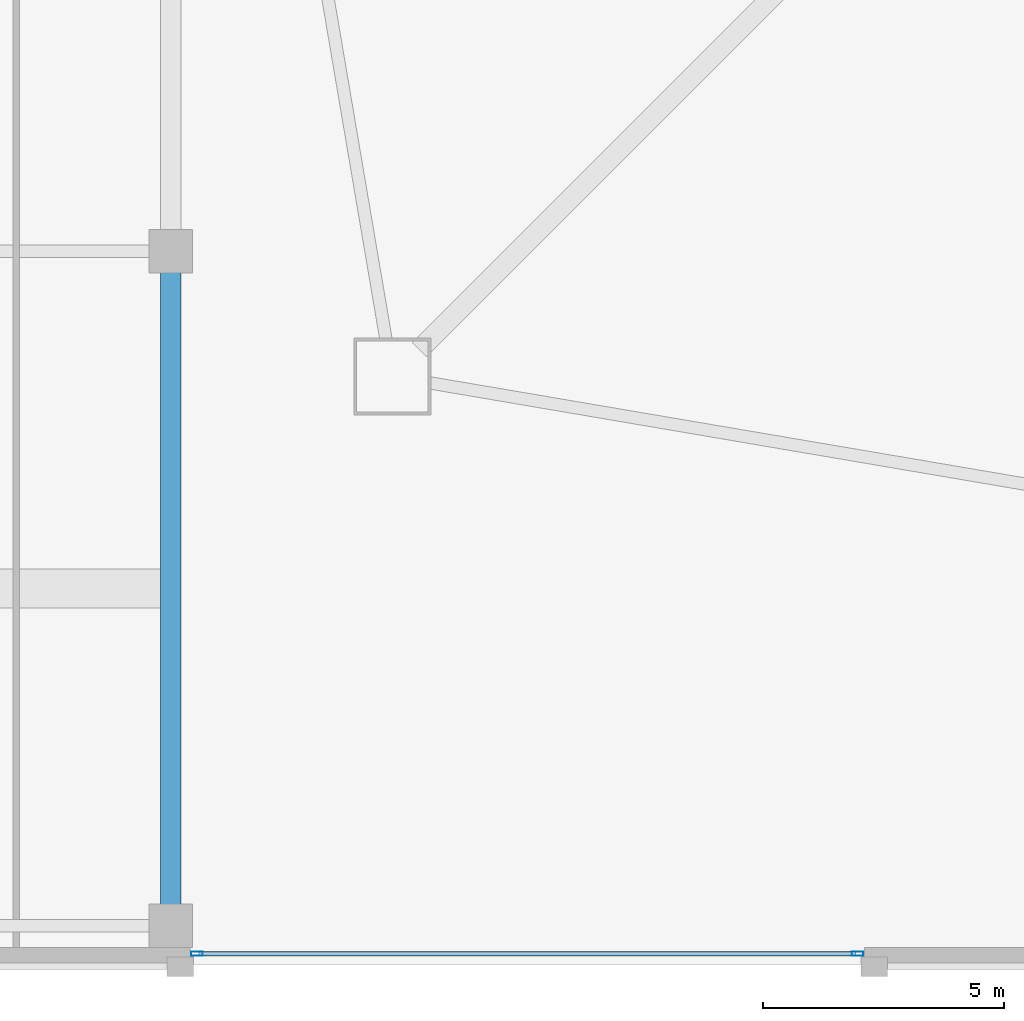
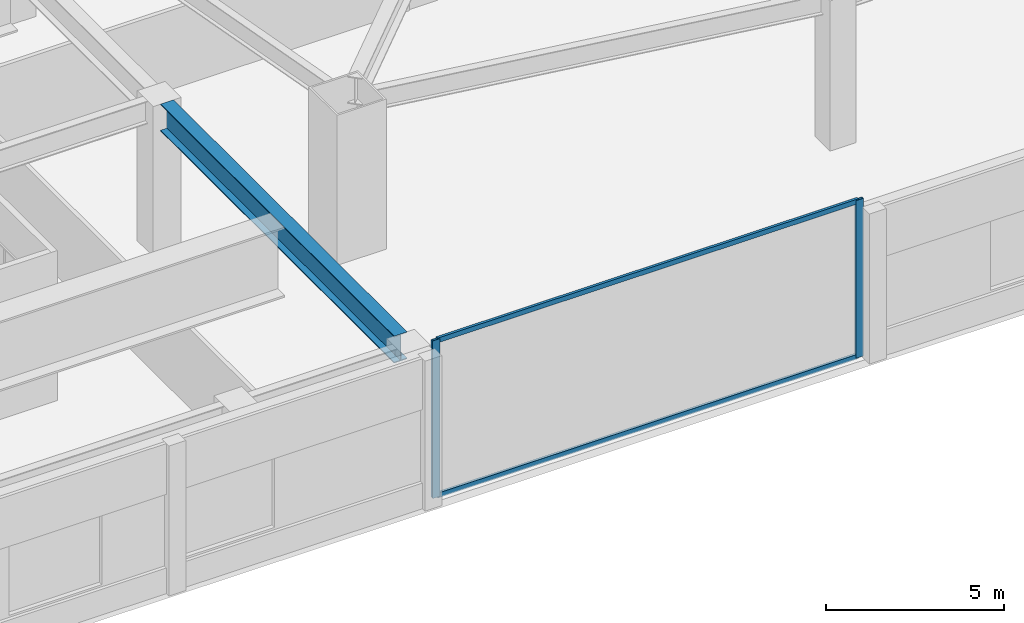
# One storey, part 6 of 48: 4 members, 1 beam, 1 element without a shape of its own.
"""IFC4 building model written with IfcOpenShell, lengths in metres."""

from ifc_helpers import new_model, si_unit, direction, frame, origin, origin_2d, place, context, subcontext, project, spatial, hollow_rectangle, i_section, extrude, material, material_profile, profile_set, type_object, element, aggregate, save


model = new_model("IFC4")

# Units and contexts
model_context = context("Model", 3, precision=1e-05, world=origin(), true_north=direction((0.0, 1.0)))
body_context = subcontext(model_context, "Body", "Model", "MODEL_VIEW")
ifc_project = project(units=[si_unit("LENGTHUNIT", "METRE"), si_unit("AREAUNIT", "SQUARE_METRE"), si_unit("VOLUMEUNIT", "CUBIC_METRE"), si_unit("PLANEANGLEUNIT", "RADIAN"), si_unit("MASSUNIT", "GRAM", prefix="KILO")], contexts=[model_context])

# Site, building, storey
site_placement = place(None, origin())
site = spatial("IfcSite", under=ifc_project, at=site_placement, CompositionType="ELEMENT")
building_placement = place(site_placement, origin())
building = spatial("IfcBuilding", under=site, at=building_placement, Name="Tashvorn Skyway Center", CompositionType="ELEMENT")
storey_placement = place(building_placement, frame((0.0, 0.0, 10.199951171875)))
storey = spatial("IfcBuildingStorey", under=building, at=storey_placement, Name="L02", CompositionType="ELEMENT", Elevation=10.199951171875)

# Beam
ifc_material_1 = material(Name="Steel ASTM A913 Grade 65", Category="steel")
ifc_material_profile_1 = material_profile(ifc_material_1, i_section(OverallWidth=0.4189453125, OverallDepth=0.927001953125, WebThickness=0.019287109375, FlangeThickness=0.031982421875, at=origin_2d()), Name="W36X231")
ifc_profile_set_1 = profile_set([ifc_material_profile_1], Name="Steel ASTM A913 Grade 65")
beam_type = type_object("IfcBeamType", Name="BM-BEAM-W36X231", PredefinedType="BEAM", material=ifc_profile_set_1)
beam_placement = place(storey_placement, frame((17.60009765625, 1.2451171875, 4.676513671875), z_axis=(0.0, 1.0, 0.0), x_axis=(-1.0, 0.0, 0.0)))
element("IfcBeam", 1, at=beam_placement, inside=storey, type_object=beam_type, Name="L02 North-South Podium Girder 02-S", PredefinedType="BEAM", context=body_context, shape_type="SweptSolid", body=[
    extrude(i_section(OverallWidth=0.4189453125, OverallDepth=0.927001953125, WebThickness=0.019287109375, FlangeThickness=0.031982421875, at=origin_2d()), origin(), (0.0, 0.0, 1.0), 13.10986328125),
])

# Curtain wall, members
ifc_material_2 = material(Name="Thermally broken bronze-anodized aluminium 6063-T6", Category="aluminium")
curtain_wall_type = type_object("IfcCurtainWallType", Name="CW-CW-Z1", PredefinedType="NOTDEFINED", material=ifc_material_2)
curtain_wall_placement = place(storey_placement, origin())
curtain_wall = element("IfcCurtainWall", 2, at=curtain_wall_placement, inside=storey, type_object=curtain_wall_type, Name="L02 South Station Arcade Curtain Wall 3", PredefinedType="NOTDEFINED")
ifc_material_profile_2 = material_profile(ifc_material_2, hollow_rectangle(XDim=0.0849609375, YDim=0.239990234375, WallThickness=0.0048828125, at=origin_2d()), Name="ALU-MULL-85x240")
ifc_profile_set_2 = profile_set([ifc_material_profile_2], Name="Thermally broken bronze-anodized aluminium 6063-T6")
member_type_1 = type_object("IfcMemberType", Name="CWM-CW-Z1", PredefinedType="MULLION", material=ifc_profile_set_2)
member_1_placement = place(storey_placement, frame((31.857421875, 0.219970703125, 0.0), z_axis=(0.0, 0.0, 1.0), x_axis=(0.0, -1.0, 0.0)))
member_1 = element("IfcMember", 3, at=member_1_placement, type_object=member_type_1, Name="CW-Z1 mullion 1", PredefinedType="MULLION", context=body_context, shape_type="SweptSolid", body=[
    extrude(hollow_rectangle(XDim=0.0849609375, YDim=0.239990234375, WallThickness=0.0048828125, at=origin_2d()), origin(), (0.0, 0.0, 1.0), 5.400146484375),
])
member_2_placement = place(storey_placement, frame((18.142578125, 0.219970703125, 0.0), z_axis=(0.0, 0.0, 1.0), x_axis=(0.0, -1.0, 0.0)))
member_2 = element("IfcMember", 4, at=member_2_placement, type_object=member_type_1, Name="CW-Z1 mullion 2", PredefinedType="MULLION", context=body_context, shape_type="SweptSolid", body=[
    extrude(hollow_rectangle(XDim=0.0849609375, YDim=0.239990234375, WallThickness=0.0048828125, at=origin_2d()), origin(), (0.0, 0.0, 1.0), 5.400146484375),
])
ifc_material_profile_3 = material_profile(ifc_material_2, hollow_rectangle(XDim=0.0849609375, YDim=0.1650390625, WallThickness=0.0048828125, at=origin_2d()), Name="ALU-TRAN-85x165")
ifc_profile_set_3 = profile_set([ifc_material_profile_3], Name="Thermally broken bronze-anodized aluminium 6063-T6")
member_type_2 = type_object("IfcMemberType", Name="CWT-CW-Z1", PredefinedType="USERDEFINED", material=ifc_profile_set_3)
member_3_placement = place(storey_placement, frame((31.81494140625, 0.219970703125, 0.04248046875), z_axis=(-1.0, 0.0, 0.0), x_axis=(0.0, -1.0, 0.0)))
member_3 = element("IfcMember", 5, at=member_3_placement, type_object=member_type_2, Name="CW-Z1 transom 1.1", ObjectType="TRANSOM", PredefinedType="USERDEFINED", context=body_context, shape_type="SweptSolid", body=[
    extrude(hollow_rectangle(XDim=0.0849609375, YDim=0.1650390625, WallThickness=0.0048828125, at=origin_2d()), origin(), (0.0, 0.0, 1.0), 13.6298828125),
])
member_4_placement = place(storey_placement, frame((31.81494140625, 0.219970703125, 5.357666015625), z_axis=(-1.0, 0.0, 0.0), x_axis=(0.0, -1.0, 0.0)))
member_4 = element("IfcMember", 6, at=member_4_placement, type_object=member_type_2, Name="CW-Z1 transom 1.2", ObjectType="TRANSOM", PredefinedType="USERDEFINED", context=body_context, shape_type="SweptSolid", body=[
    extrude(hollow_rectangle(XDim=0.0849609375, YDim=0.1650390625, WallThickness=0.0048828125, at=origin_2d()), origin(), (0.0, 0.0, 1.0), 13.6298828125),
])
aggregate(curtain_wall, [member_1, member_2, member_3, member_4])

save(model, "model.ifc")
